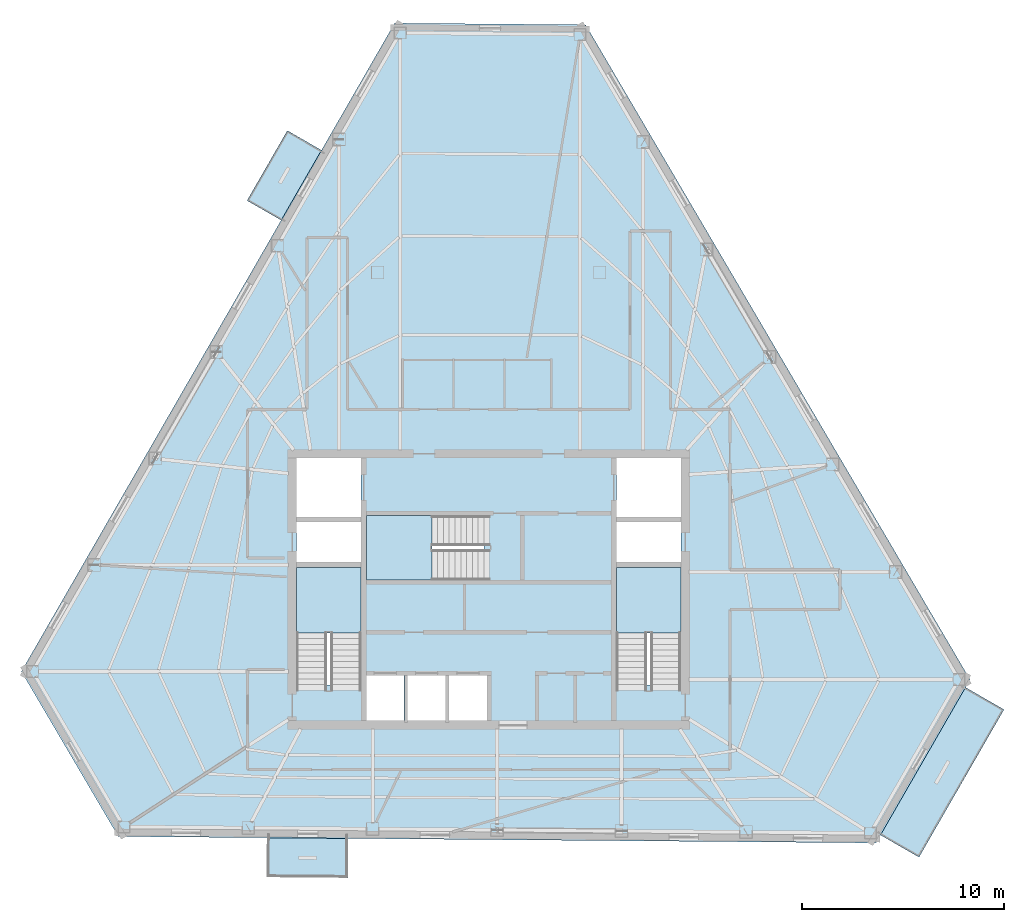
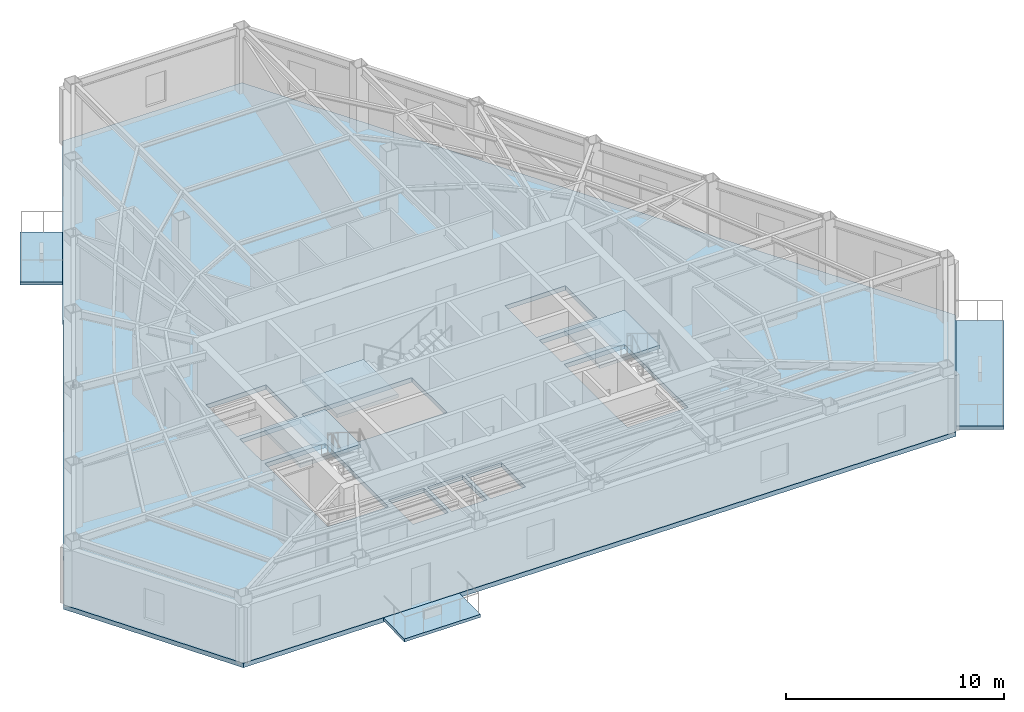
# One storey, part 3 of 12: 7 slabs, 3 elements without a shape of their own.
"""IFC4 building model written with IfcOpenShell, lengths in metres."""

from ifc_helpers import new_model, si_unit, direction, frame, origin, place, context, subcontext, project, spatial, polyline, outline, extrude, material, layer, layer_set, type_object, element, aggregate, save


model = new_model("IFC4")

# Units and contexts
model_context = context("Model", 3, precision=1e-05, world=origin(), true_north=direction((0.0, 1.0)))
body_context = subcontext(model_context, "Body", "Model", "MODEL_VIEW")
ifc_project = project(units=[si_unit("LENGTHUNIT", "METRE"), si_unit("AREAUNIT", "SQUARE_METRE"), si_unit("VOLUMEUNIT", "CUBIC_METRE"), si_unit("PLANEANGLEUNIT", "RADIAN"), si_unit("MASSUNIT", "GRAM", prefix="KILO")], contexts=[model_context])

# Site, building, storey
site_placement = place(None, origin())
site = spatial("IfcSite", under=ifc_project, at=site_placement, CompositionType="ELEMENT")
building_placement = place(site_placement, origin())
building = spatial("IfcBuilding", under=site, at=building_placement, Name="Kavelnor Concourse Tower", CompositionType="ELEMENT")
storey_placement = place(building_placement, frame((0.0, 0.0, 191.949951171875)))
storey = spatial("IfcBuildingStorey", under=building, at=storey_placement, Name="L48", CompositionType="ELEMENT", Elevation=191.949951171875)

# Slabs
ifc_material = material(Name="Concrete C40/50", Category="concrete")
ifc_layer_1 = layer(ifc_material, 0.169921875, Name="Concrete C40/50")
ifc_layer_set_1 = layer_set([ifc_layer_1], Name="Concrete C40/50")
slab_type_1 = type_object("IfcSlabType", Name="SLB-BALCONY-170", PredefinedType="FLOOR", material=ifc_layer_set_1)
slab_1_placement = place(storey_placement, frame((0.0, 0.0, -0.169921875)))
element("IfcSlab", 1, at=slab_1_placement, inside=storey, type_object=slab_type_1, Name="L48 Cantilevered Tree Balcony Slab 1", PredefinedType="FLOOR", context=body_context, shape_type="SweptSolid", body=[
    extrude(outline(polyline([(26.03271484375, 35.359375), (28.0283203125, 38.82568359375), (29.71826171875, 37.852783203125), (27.722412109375, 34.38623046875), (26.03271484375, 35.359375)])), origin(), (0.0, 0.0, 1.0), 0.169921875),
])
slab_2_placement = place(storey_placement, frame((0.0, 0.0, -0.169921875)))
element("IfcSlab", 2, at=slab_2_placement, inside=storey, type_object=slab_type_1, Name="L48 Cantilevered Tree Balcony Slab 2", PredefinedType="FLOOR", context=body_context, shape_type="SweptSolid", body=[
    extrude(outline(polyline([(31.01953125, 1.821533203125), (27.019775390625, 1.855712890625), (27.036376953125, 3.8056640625), (31.0361328125, 3.771484375), (31.01953125, 1.821533203125)])), origin(), (0.0, 0.0, 1.0), 0.169921875),
])

# Stair, slab
stair_type = type_object("IfcStairType", Name="STR-CORE-1500", PredefinedType="HALF_TURN_STAIR", material=ifc_material)
stair_1_placement = place(storey_placement, origin())
stair_1 = element("IfcStair", 3, at=stair_1_placement, inside=storey, type_object=stair_type, Name="L48 ST1", PredefinedType="HALF_TURN_STAIR")
ifc_layer_2 = layer(ifc_material, 0.199951171875, Name="Concrete C40/50")
ifc_layer_set_2 = layer_set([ifc_layer_2], Name="Concrete C40/50")
slab_type_2 = type_object("IfcSlabType", Name="SLB-LANDING-200", PredefinedType="LANDING", material=ifc_layer_set_2)
slab_3_placement = place(storey_placement, frame((0.0, 0.0, 1.72509765625)))
slab_3 = element("IfcSlab", 4, at=slab_3_placement, type_object=slab_type_2, Name="ST1 landing 1", PredefinedType="LANDING", context=body_context, shape_type="SweptSolid", body=[
    extrude(outline(polyline([(31.679931640625, 13.949951171875), (31.679931640625, 17.199951171875), (28.47998046875, 17.199951171875), (28.47998046875, 13.949951171875), (31.679931640625, 13.949951171875)])), origin(), (0.0, 0.0, 1.0), 0.199951171875),
])
aggregate(stair_1, [slab_3])

stair_2_placement = place(storey_placement, origin())
stair_2 = element("IfcStair", 5, at=stair_2_placement, inside=storey, type_object=stair_type, Name="L48 ST2", PredefinedType="HALF_TURN_STAIR")
slab_4_placement = place(storey_placement, frame((0.0, 0.0, 1.72509765625)))
slab_4 = element("IfcSlab", 6, at=slab_4_placement, type_object=slab_type_2, Name="ST2 landing 1", PredefinedType="LANDING", context=body_context, shape_type="SweptSolid", body=[
    extrude(outline(polyline([(47.52001953125, 13.949951171875), (47.52001953125, 17.199951171875), (44.320068359375, 17.199951171875), (44.320068359375, 13.949951171875), (47.52001953125, 13.949951171875)])), origin(), (0.0, 0.0, 1.0), 0.199951171875),
])
aggregate(stair_2, [slab_4])

stair_3_placement = place(storey_placement, origin())
stair_3 = element("IfcStair", 7, at=stair_3_placement, inside=storey, type_object=stair_type, Name="L48 ST3", PredefinedType="HALF_TURN_STAIR")
slab_5_placement = place(storey_placement, frame((0.0, 0.0, 1.72509765625)))
slab_5 = element("IfcSlab", 8, at=slab_5_placement, type_object=slab_type_2, Name="ST3 landing 1", PredefinedType="LANDING", context=body_context, shape_type="SweptSolid", body=[
    extrude(outline(polyline([(35.18994140625, 19.760009765625), (31.93994140625, 19.760009765625), (31.93994140625, 16.56005859375), (35.18994140625, 16.56005859375), (35.18994140625, 19.760009765625)])), origin(), (0.0, 0.0, 1.0), 0.199951171875),
])
aggregate(stair_3, [slab_5])

# Slabs
ifc_layer_3 = layer(ifc_material, 0.25, Name="Concrete C40/50")
ifc_layer_set_3 = layer_set([ifc_layer_3], Name="Concrete C40/50")
slab_type_3 = type_object("IfcSlabType", Name="SLB-OFFICE-250", PredefinedType="FLOOR", material=ifc_layer_set_3)
slab_6_placement = place(storey_placement, frame((0.0, 0.0, -0.25)))
element("IfcSlab", 9, at=slab_6_placement, inside=storey, type_object=slab_type_3, Name="L48 Composite Structural Floor Slab", PredefinedType="FLOOR", context=body_context, shape_type="SweptSolid", body=[
    extrude(outline(polyline([(42.79833984375, 44.065185546875), (33.34130859375, 44.145751953125), (14.857666015625, 12.041015625), (19.656005859375, 3.868408203125), (57.1767578125, 3.548828125), (61.83544921875, 11.640869140625), (42.79833984375, 44.065185546875)]), holes=[polyline([(28.47998046875, 11.3798828125), (31.679931640625, 11.3798828125), (31.679931640625, 17.199951171875), (28.47998046875, 17.199951171875), (28.47998046875, 11.3798828125)]), polyline([(44.320068359375, 11.3798828125), (47.52001953125, 11.3798828125), (47.52001953125, 17.199951171875), (44.320068359375, 17.199951171875), (44.320068359375, 11.3798828125)]), polyline([(31.93994140625, 16.56005859375), (37.760009765625, 16.56005859375), (37.760009765625, 19.760009765625), (31.93994140625, 19.760009765625), (31.93994140625, 16.56005859375)]), polyline([(28.47998046875, 19.699951171875), (31.679931640625, 19.699951171875), (31.679931640625, 22.60009765625), (28.47998046875, 22.60009765625), (28.47998046875, 19.699951171875)]), polyline([(44.320068359375, 19.699951171875), (47.52001953125, 19.699951171875), (47.52001953125, 22.60009765625), (44.320068359375, 22.60009765625), (44.320068359375, 19.699951171875)]), polyline([(31.93994140625, 9.60009765625), (33.81005859375, 9.60009765625), (33.81005859375, 11.840087890625), (31.93994140625, 11.840087890625), (31.93994140625, 9.60009765625)]), polyline([(33.989990234375, 9.60009765625), (35.860107421875, 9.60009765625), (35.860107421875, 11.840087890625), (33.989990234375, 11.840087890625), (33.989990234375, 9.60009765625)]), polyline([(36.0400390625, 9.60009765625), (37.909912109375, 9.60009765625), (37.909912109375, 11.840087890625), (36.0400390625, 11.840087890625), (36.0400390625, 9.60009765625)]), polyline([(28.47998046875, 17.4599609375), (31.679931640625, 17.4599609375), (31.679931640625, 19.43994140625), (28.47998046875, 19.43994140625), (28.47998046875, 17.4599609375)]), polyline([(44.320068359375, 17.4599609375), (47.52001953125, 17.4599609375), (47.52001953125, 19.43994140625), (44.320068359375, 19.43994140625), (44.320068359375, 17.4599609375)])]), origin(), (0.0, 0.0, 1.0), 0.25),
])
ifc_layer_4 = layer(ifc_material, 0.18994140625, Name="Concrete C40/50")
ifc_layer_set_4 = layer_set([ifc_layer_4], Name="Concrete C40/50")
slab_type_4 = type_object("IfcSlabType", Name="SLB-TERRACE-190", PredefinedType="FLOOR", material=ifc_layer_set_4)
slab_7_placement = place(storey_placement, frame((0.0, 0.0, -0.18994140625)))
element("IfcSlab", 10, at=slab_7_placement, inside=storey, type_object=slab_type_4, Name="L48 Spiralling Sky Terrace Slab", PredefinedType="FLOOR", context=body_context, shape_type="SweptSolid", body=[
    extrude(outline(polyline([(63.517578125, 10.153076171875), (59.307861328125, 2.84130859375), (57.4013671875, 3.93896484375), (61.611083984375, 11.250732421875), (63.517578125, 10.153076171875)])), origin(), (0.0, 0.0, 1.0), 0.18994140625),
])

save(model, "model.ifc")
